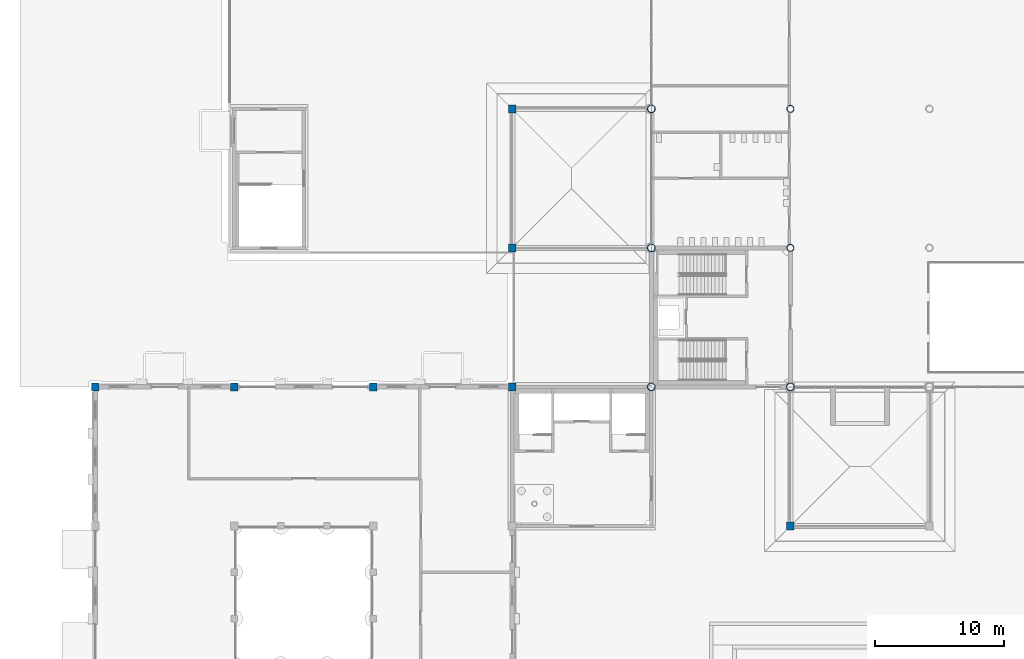
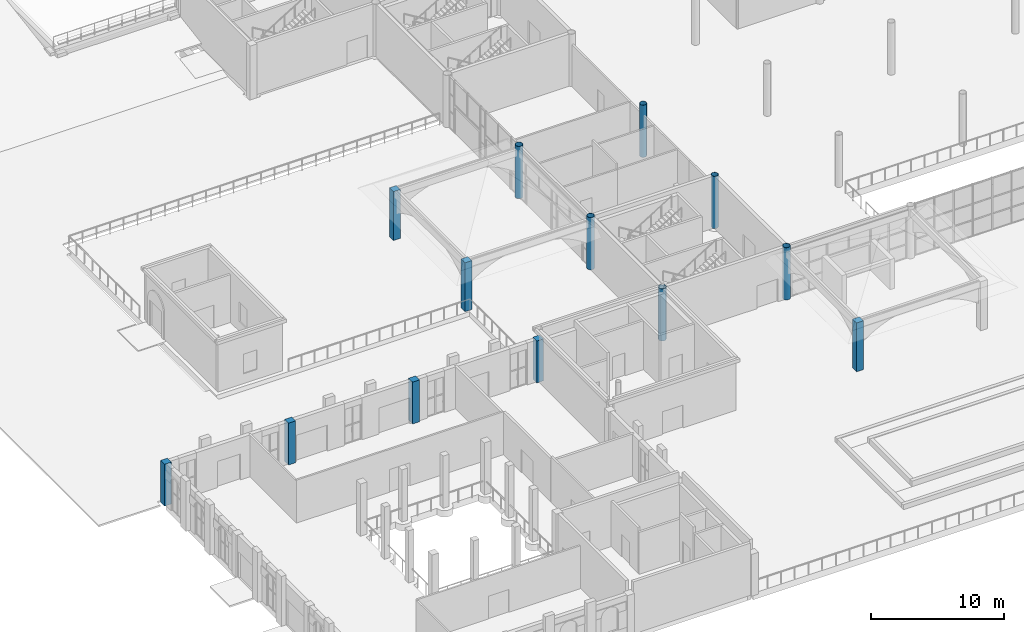
# One storey, part 3 of 91: 13 columns.
"""IFC4 building model written with IfcOpenShell, lengths in metres."""

from ifc_helpers import new_model, si_unit, direction, frame, origin, origin_2d, place, context, subcontext, project, spatial, rectangle, hollow_circle, extrude, material, material_profile, profile_set, type_object, element, save


model = new_model("IFC4")

# Units and contexts
model_context = context("Model", 3, precision=1e-05, world=origin(), true_north=direction((0.0, 1.0)))
body_context = subcontext(model_context, "Body", "Model", "MODEL_VIEW")
ifc_project = project(units=[si_unit("LENGTHUNIT", "METRE"), si_unit("AREAUNIT", "SQUARE_METRE"), si_unit("VOLUMEUNIT", "CUBIC_METRE"), si_unit("PLANEANGLEUNIT", "RADIAN"), si_unit("MASSUNIT", "GRAM", prefix="KILO")], contexts=[model_context])

# Site, building, storey
site_placement = place(None, origin())
site = spatial("IfcSite", under=ifc_project, at=site_placement, CompositionType="ELEMENT")
building_placement = place(site_placement, origin())
building = spatial("IfcBuilding", under=site, at=building_placement, Name="Magnolia Steps Interchange", CompositionType="ELEMENT")
storey_placement = place(building_placement, origin())
storey = spatial("IfcBuildingStorey", under=building, at=storey_placement, Name="L00", CompositionType="ELEMENT", Elevation=0.0)

# Columns
ifc_material_1 = material(Name="Concrete C40", Category="concrete")
ifc_material_profile_1 = material_profile(ifc_material_1, rectangle(XDim=0.60009765625, YDim=0.60009765625, at=origin_2d()), Name="RC600x600")
ifc_profile_set_1 = profile_set([ifc_material_profile_1], Name="Concrete C40")
column_type_1 = type_object("IfcColumnType", Name="RC column 600x600", PredefinedType="COLUMN", material=ifc_profile_set_1)
for number, where, z_axis, x_axis, name in (
    (1, (10.0, 42.39990234375, 0.0), (0.0, 0.0, 1.0), (1.0, 0.0, 0.0), "Column CYC-1D L00"),
    (2, (20.800048828125, 42.39990234375, 0.0), (0.0, 0.0, 1.0), (1.0, 0.0, 0.0), "Column CYC-2D L00"),
    (3, (31.60009765625, 42.39990234375, 0.0), (0.0, 0.0, 1.0), (1.0, 0.0, 0.0), "Column CYC-3D L00"),
    (4, (42.39990234375, 42.39990234375, 0.0), (0.0, 0.0, 1.0), (1.0, 0.0, 0.0), "Column CYC-4D L00"),
):
    element("IfcColumn", number, at=place(storey_placement, frame(where, z_axis=z_axis, x_axis=x_axis)), inside=storey, type_object=column_type_1, Name=name, PredefinedType="COLUMN", context=body_context, shape_type="SweptSolid", body=[
        extrude(rectangle(XDim=0.60009765625, YDim=0.60009765625, at=origin_2d()), origin(), (0.0, 0.0, 1.0), 3.85009765625),
    ])
for number, where, z_axis, x_axis, name in (
    (5, (64.0, 31.60009765625, 0.0), (0.0, 0.0, 1.0), (1.0, 0.0, 0.0), "Portico column S2"),
    (6, (42.39990234375, 53.199951171875, 0.0), (0.0, 0.0, 1.0), (1.0, 0.0, 0.0), "Portico column W2"),
    (7, (42.39990234375, 64.0, 0.0), (0.0, 0.0, 1.0), (1.0, 0.0, 0.0), "Portico column W2"),
):
    element("IfcColumn", number, at=place(storey_placement, frame(where, z_axis=z_axis, x_axis=x_axis)), inside=storey, type_object=column_type_1, Name=name, PredefinedType="COLUMN", context=body_context, shape_type="SweptSolid", body=[
        extrude(rectangle(XDim=0.60009765625, YDim=0.60009765625, at=origin_2d()), origin(), (0.0, 0.0, 1.0), 4.5),
    ])
ifc_material_2 = material(Name="Steel Q355B", Category="steel")
ifc_material_profile_2 = material_profile(ifc_material_2, hollow_circle(Radius=0.279541015625, WallThickness=0.02001953125, at=origin_2d()), Name="CHS559x20")
ifc_profile_set_2 = profile_set([ifc_material_profile_2], Name="Steel Q355B")
column_type_2 = type_object("IfcColumnType", Name="Tree trunk CHS559x20", PredefinedType="COLUMN", material=ifc_profile_set_2)
for number, where, z_axis, x_axis, name in (
    (8, (64.0, 53.199951171875, 0.0), (0.0, 0.0, 1.0), (1.0, 0.0, 0.0), "Tree trunk TH02B"),
    (9, (64.0, 64.0, 0.0), (0.0, 0.0, 1.0), (1.0, 0.0, 0.0), "Tree trunk TH02C"),
):
    element("IfcColumn", number, at=place(storey_placement, frame(where, z_axis=z_axis, x_axis=x_axis)), inside=storey, type_object=column_type_2, Name=name, PredefinedType="COLUMN", context=body_context, shape_type="SweptSolid", body=[
        extrude(hollow_circle(Radius=0.279541015625, WallThickness=0.02001953125, at=origin_2d()), origin(), (0.0, 0.0, 1.0), 4.800048828125),
    ])
ifc_material_3 = material(Name="Steel Q355B", Category="steel")
ifc_material_profile_3 = material_profile(ifc_material_3, hollow_circle(Radius=0.304931640625, WallThickness=0.02490234375, at=origin_2d()), Name="CHS610x25")
ifc_profile_set_3 = profile_set([ifc_material_profile_3], Name="Steel Q355B")
column_type_3 = type_object("IfcColumnType", Name="Tree trunk CHS610x25", PredefinedType="COLUMN", material=ifc_profile_set_3)
for number, where, z_axis, x_axis, name in (
    (10, (53.199951171875, 42.39990234375, 0.0), (0.0, 0.0, 1.0), (1.0, 0.0, 0.0), "Tree trunk TH01A"),
    (11, (53.199951171875, 53.199951171875, 0.0), (0.0, 0.0, 1.0), (1.0, 0.0, 0.0), "Tree trunk TH01B"),
    (12, (53.199951171875, 64.0, 0.0), (0.0, 0.0, 1.0), (1.0, 0.0, 0.0), "Tree trunk TH01C"),
    (13, (64.0, 42.39990234375, 0.0), (0.0, 0.0, 1.0), (1.0, 0.0, 0.0), "Tree trunk TH02A"),
):
    element("IfcColumn", number, at=place(storey_placement, frame(where, z_axis=z_axis, x_axis=x_axis)), inside=storey, type_object=column_type_3, Name=name, PredefinedType="COLUMN", context=body_context, shape_type="SweptSolid", body=[
        extrude(hollow_circle(Radius=0.304931640625, WallThickness=0.02490234375, at=origin_2d()), origin(), (0.0, 0.0, 1.0), 4.800048828125),
    ])

save(model, "model.ifc")
